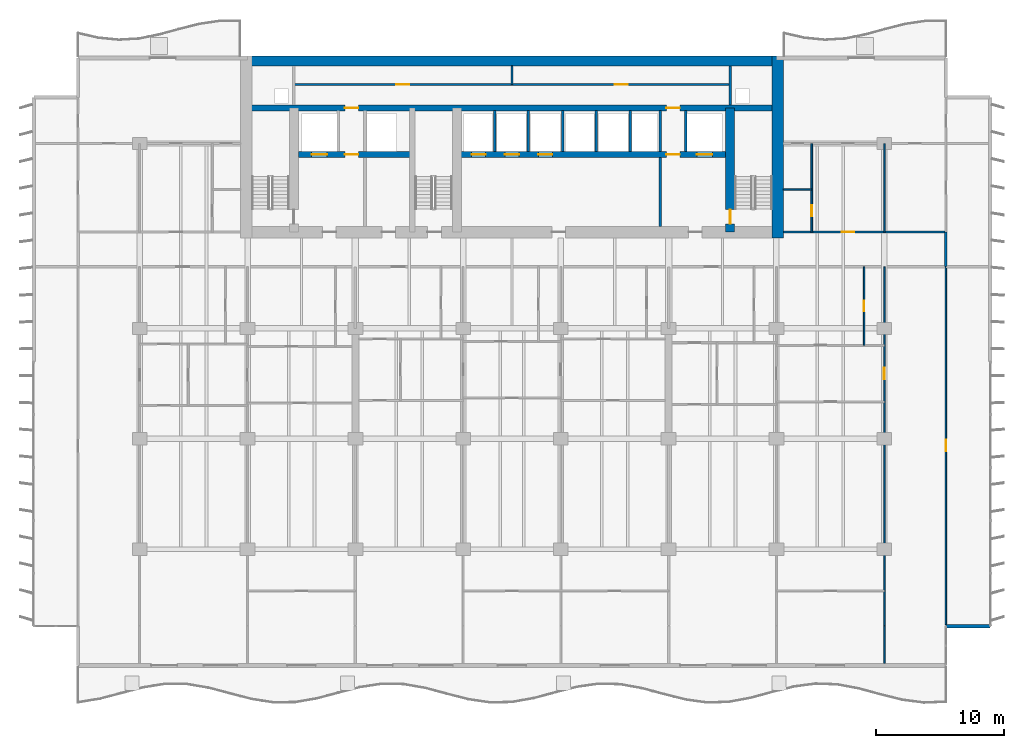
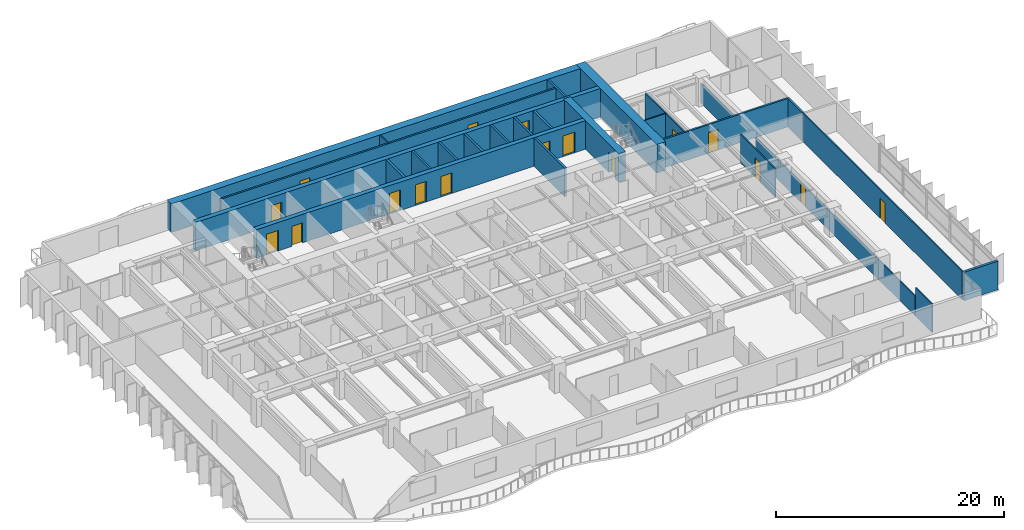
# One storey, part 10 of 16: 26 walls, 17 doors, 17 openings.
"""IFC4 building model written with IfcOpenShell, lengths in metres."""

from ifc_helpers import new_model, si_unit, direction, frame, frame_2d, origin, place, context, subcontext, project, spatial, rectangle, extrude, material, layer, layer_set, type_object, element, fill, save


model = new_model("IFC4")

# Units and contexts
model_context = context("Model", 3, precision=1e-05, world=origin(), true_north=direction((0.0, 1.0)))
body_context = subcontext(model_context, "Body", "Model", "MODEL_VIEW")
ifc_project = project(units=[si_unit("LENGTHUNIT", "METRE"), si_unit("AREAUNIT", "SQUARE_METRE"), si_unit("VOLUMEUNIT", "CUBIC_METRE"), si_unit("PLANEANGLEUNIT", "RADIAN"), si_unit("MASSUNIT", "GRAM", prefix="KILO")], contexts=[model_context])

# Site, building, storey
site_placement = place(None, origin())
site = spatial("IfcSite", under=ifc_project, at=site_placement, CompositionType="ELEMENT")
building_placement = place(site_placement, origin())
building = spatial("IfcBuilding", under=site, at=building_placement, Name="Caelmar Bay Residences", CompositionType="ELEMENT")
storey_placement = place(building_placement, frame((0.0, 0.0, 72.89990234375)))
storey = spatial("IfcBuildingStorey", under=building, at=storey_placement, Name="L19", CompositionType="ELEMENT", Elevation=72.89990234375)

# Wall, opening, door
ifc_material_1 = material(Name="Concrete f'c 55 MPa (8,000 psi)", Category="concrete")
ifc_layer_1 = layer(ifc_material_1, 0.699951171875)
ifc_layer_set_1 = layer_set([ifc_layer_1], Name="Concrete f'c 55 MPa (8,000 psi)")
wall_type_1 = type_object("IfcWallType", Name="SW-COR-700", PredefinedType="SHEAR", material=ifc_layer_set_1)
wall_1_placement = place(storey_placement, frame((55.89990234375, 36.89990234375, 0.0), z_axis=(0.0, 0.0, 1.0), x_axis=(0.0, 1.0, 0.0)))
wall_1 = element("IfcWall", 1, at=wall_1_placement, inside=storey, type_object=wall_type_1, Name="L19 Core Structural Web Wall ST2W", PredefinedType="SHEAR", context=body_context, shape_type="SweptSolid", body=[
    extrude(rectangle(XDim=9.675048828125, YDim=0.699951171875, at=frame_2d((4.83740234375, 0.0))), origin(), (0.0, 0.0, 1.0), 3.050048828125),
])
opening_1_placement = place(wall_1_placement, frame((0.64990234375, 0.0, 0.0)))
opening_1 = element("IfcOpeningElement", 2, at=opening_1_placement, cuts=wall_1, Name="Opening D-L19-111", PredefinedType="OPENING", context=body_context, shape_type="SweptSolid", body=[
    extrude(rectangle(XDim=1.10009765625, YDim=2.14990234375, at=frame_2d((0.550048828125, 1.074951171875))), frame((0.0, 0.35986328125, 0.0), z_axis=(0.0, -1.0, 0.0), x_axis=(1.0, 0.0, 0.0)), (0.0, 0.0, 1.0), 0.719970703125),
])
ifc_material_2 = material(Name="Fire-rated steel and walnut architectural door assembly", Category="steel")
ifc_layer_2 = layer(ifc_material_2, 0.050048828125)
ifc_layer_set_2 = layer_set([ifc_layer_2], Name="Fire-rated steel and walnut architectural door assembly")
door_type_1 = type_object("IfcDoorType", Name="D-STAIR-1100", OperationType="NOTDEFINED", PredefinedType="DOOR", material=ifc_layer_set_2)
door_1_placement = place(opening_1_placement, origin())
door_1 = element("IfcDoor", 3, at=door_1_placement, inside=storey, type_object=door_type_1, Name="L19 Firefighting Lobby East Door", OperationType="SINGLE_SWING_RIGHT", OverallHeight=2.14990234375, OverallWidth=1.10009765625, PredefinedType="DOOR", context=body_context, shape_type="SweptSolid", body=[
    extrude(rectangle(XDim=1.10009765625, YDim=2.14990234375, at=frame_2d((0.550048828125, 1.074951171875))), frame((0.0, 0.02490234375, 0.0), z_axis=(0.0, -1.0, 0.0), x_axis=(1.0, 0.0, 0.0)), (0.0, 0.0, 1.0), 0.050048828125),
])
fill(opening_1, door_1)

# Walls
ifc_material_3 = material(Name="Concrete f'c 70 MPa (10,000 psi)", Category="concrete")
ifc_layer_3 = layer(ifc_material_3, 0.89990234375)
ifc_layer_set_3 = layer_set([ifc_layer_3], Name="Concrete f'c 70 MPa (10,000 psi)")
wall_type_2 = type_object("IfcWallType", Name="SW-COR-900", PredefinedType="SHEAR", material=ifc_layer_set_3)
wall_2_placement = place(storey_placement, frame((59.60009765625, 36.449951171875, 0.0), z_axis=(0.0, 0.0, 1.0), x_axis=(0.0, 1.0, 0.0)))
element("IfcWall", 4, at=wall_2_placement, inside=storey, type_object=wall_type_2, Name="L19 Rear Core East Shear Wall", PredefinedType="SHEAR", context=body_context, shape_type="SweptSolid", body=[
    extrude(rectangle(XDim=14.150146484375, YDim=0.89990234375, at=frame_2d((7.0751953125, 0.0))), origin(), (0.0, 0.0, 1.0), 3.050048828125),
])
ifc_layer_4 = layer(ifc_material_3, 0.75)
ifc_layer_set_4 = layer_set([ifc_layer_4], Name="Concrete f'c 70 MPa (10,000 psi)")
wall_type_3 = type_object("IfcWallType", Name="SW-CORN-750", PredefinedType="SHEAR", material=ifc_layer_set_4)
wall_3_placement = place(storey_placement, frame((17.75, 50.22509765625, 0.0), z_axis=(0.0, 0.0, 1.0), x_axis=(1.0, 0.0, 0.0)))
element("IfcWall", 5, at=wall_3_placement, inside=storey, type_object=wall_type_3, Name="L19 Rear Core North Shear Wall", PredefinedType="SHEAR", context=body_context, shape_type="SweptSolid", body=[
    extrude(rectangle(XDim=42.300048828125, YDim=0.75, at=frame_2d((21.14990234375, 0.0))), origin(), (0.0, 0.0, 1.0), 3.050048828125),
])

# Wall, openings, doors
ifc_layer_5 = layer(ifc_material_3, 0.449951171875)
ifc_layer_set_5 = layer_set([ifc_layer_5], Name="Concrete f'c 70 MPa (10,000 psi)")
wall_type_4 = type_object("IfcWallType", Name="SW-WEB-450", PredefinedType="SHEAR", material=ifc_layer_set_5)
wall_4_placement = place(storey_placement, frame((22.25, 42.949951171875, 0.0), z_axis=(0.0, 0.0, 1.0), x_axis=(1.0, 0.0, 0.0)))
wall_4 = element("IfcWall", 6, at=wall_4_placement, inside=storey, type_object=wall_type_4, Name="L19 Core Structural Web Wall LFR", PredefinedType="SHEAR", context=body_context, shape_type="SweptSolid", body=[
    extrude(rectangle(XDim=33.300048828125, YDim=0.449951171875, at=frame_2d((16.64990234375, 0.0))), origin(), (0.0, 0.0, 1.0), 3.050048828125),
])
opening_2_placement = place(wall_4_placement, frame((1.050048828125, 0.0, 0.0)))
opening_2 = element("IfcOpeningElement", 7, at=opening_2_placement, cuts=wall_4, Name="Opening LD2", PredefinedType="OPENING", context=body_context, shape_type="SweptSolid", body=[
    extrude(rectangle(XDim=1.199951171875, YDim=2.199951171875, at=frame_2d((0.60009765625, 1.10009765625))), frame((0.0, 0.23486328125, 0.0), z_axis=(0.0, -1.0, 0.0), x_axis=(1.0, 0.0, 0.0)), (0.0, 0.0, 1.0), 0.469970703125),
])
opening_3_placement = place(wall_4_placement, frame((31.050048828125, 0.0, 0.0)))
opening_3 = element("IfcOpeningElement", 8, at=opening_3_placement, cuts=wall_4, Name="Opening LD2", PredefinedType="OPENING", context=body_context, shape_type="SweptSolid", body=[
    extrude(rectangle(XDim=1.199951171875, YDim=2.199951171875, at=frame_2d((0.60009765625, 1.10009765625))), frame((0.0, 0.23486328125, 0.0), z_axis=(0.0, -1.0, 0.0), x_axis=(1.0, 0.0, 0.0)), (0.0, 0.0, 1.0), 0.469970703125),
])
opening_4_placement = place(wall_4_placement, frame((13.5, 0.0, 0.0)))
opening_4 = element("IfcOpeningElement", 9, at=opening_4_placement, cuts=wall_4, Name="Opening LD1", PredefinedType="OPENING", context=body_context, shape_type="SweptSolid", body=[
    extrude(rectangle(XDim=1.10009765625, YDim=2.199951171875, at=frame_2d((0.550048828125, 1.10009765625))), frame((0.0, 0.23486328125, 0.0), z_axis=(0.0, -1.0, 0.0), x_axis=(1.0, 0.0, 0.0)), (0.0, 0.0, 1.0), 0.469970703125),
])
opening_5_placement = place(wall_4_placement, frame((16.10009765625, 0.0, 0.0)))
opening_5 = element("IfcOpeningElement", 10, at=opening_5_placement, cuts=wall_4, Name="Opening LD1", PredefinedType="OPENING", context=body_context, shape_type="SweptSolid", body=[
    extrude(rectangle(XDim=1.10009765625, YDim=2.199951171875, at=frame_2d((0.550048828125, 1.10009765625))), frame((0.0, 0.23486328125, 0.0), z_axis=(0.0, -1.0, 0.0), x_axis=(1.0, 0.0, 0.0)), (0.0, 0.0, 1.0), 0.469970703125),
])
opening_6_placement = place(wall_4_placement, frame((18.699951171875, 0.0, 0.0)))
opening_6 = element("IfcOpeningElement", 11, at=opening_6_placement, cuts=wall_4, Name="Opening LD1", PredefinedType="OPENING", context=body_context, shape_type="SweptSolid", body=[
    extrude(rectangle(XDim=1.10009765625, YDim=2.199951171875, at=frame_2d((0.550048828125, 1.10009765625))), frame((0.0, 0.23486328125, 0.0), z_axis=(0.0, -1.0, 0.0), x_axis=(1.0, 0.0, 0.0)), (0.0, 0.0, 1.0), 0.469970703125),
])
opening_7_placement = place(wall_4_placement, frame((3.625, 0.0, 0.0)))
opening_7 = element("IfcOpeningElement", 12, at=opening_7_placement, cuts=wall_4, Name="Opening D-L19-109", PredefinedType="OPENING", context=body_context, shape_type="SweptSolid", body=[
    extrude(rectangle(XDim=1.050048828125, YDim=2.14990234375, at=frame_2d((0.52490234375, 1.074951171875))), frame((0.0, 0.23486328125, 0.0), z_axis=(0.0, -1.0, 0.0), x_axis=(1.0, 0.0, 0.0)), (0.0, 0.0, 1.0), 0.469970703125),
])
opening_8_placement = place(wall_4_placement, frame((28.675048828125, 0.0, 0.0)))
opening_8 = element("IfcOpeningElement", 13, at=opening_8_placement, cuts=wall_4, Name="Opening D-L19-112", PredefinedType="OPENING", context=body_context, shape_type="SweptSolid", body=[
    extrude(rectangle(XDim=1.050048828125, YDim=2.14990234375, at=frame_2d((0.52490234375, 1.074951171875))), frame((0.0, 0.23486328125, 0.0), z_axis=(0.0, -1.0, 0.0), x_axis=(1.0, 0.0, 0.0)), (0.0, 0.0, 1.0), 0.469970703125),
])
ifc_layer_6 = layer(ifc_material_2, 0.050048828125)
ifc_layer_set_6 = layer_set([ifc_layer_6], Name="Fire-rated steel and walnut architectural door assembly")
door_type_2 = type_object("IfcDoorType", Name="D-FSAE-1050", OperationType="NOTDEFINED", PredefinedType="DOOR", material=ifc_layer_set_6)
door_2_placement = place(opening_7_placement, origin())
door_2 = element("IfcDoor", 14, at=door_2_placement, inside=storey, type_object=door_type_2, Name="L19 Firefighting Lobby West Door", OperationType="SINGLE_SWING_RIGHT", OverallHeight=2.14990234375, OverallWidth=1.050048828125, PredefinedType="DOOR", context=body_context, shape_type="SweptSolid", body=[
    extrude(rectangle(XDim=1.050048828125, YDim=2.14990234375, at=frame_2d((0.52490234375, 1.074951171875))), frame((0.0, 0.02490234375, 0.0), z_axis=(0.0, -1.0, 0.0), x_axis=(1.0, 0.0, 0.0)), (0.0, 0.0, 1.0), 0.050048828125),
])
fill(opening_7, door_2)
door_3_placement = place(opening_8_placement, origin())
door_3 = element("IfcDoor", 15, at=door_3_placement, inside=storey, type_object=door_type_2, Name="L19 Firefighting Lobby East Door", OperationType="SINGLE_SWING_LEFT", OverallHeight=2.14990234375, OverallWidth=1.050048828125, PredefinedType="DOOR", context=body_context, shape_type="SweptSolid", body=[
    extrude(rectangle(XDim=1.050048828125, YDim=2.14990234375, at=frame_2d((0.52490234375, 1.074951171875))), frame((0.0, 0.02490234375, 0.0), z_axis=(0.0, -1.0, 0.0), x_axis=(1.0, 0.0, 0.0)), (0.0, 0.0, 1.0), 0.050048828125),
])
fill(opening_8, door_3)
ifc_material_4 = material(Name="Brushed bronze stainless-steel fire-rated lift landing doors", Category="steel")
ifc_layer_7 = layer(ifc_material_4, 0.050048828125)
ifc_layer_set_7 = layer_set([ifc_layer_7], Name="Brushed bronze stainless-steel fire-rated lift landing doors")
door_type_3 = type_object("IfcDoorType", Name="D-LND-1100", OperationType="DOUBLE_DOOR_SLIDING", PredefinedType="DOOR", material=ifc_layer_set_7)
door_4_placement = place(opening_4_placement, origin())
door_4 = element("IfcDoor", 16, at=door_4_placement, inside=storey, type_object=door_type_3, Name="L19 LP1 Sliding Landing Door", OperationType="DOUBLE_DOOR_SLIDING", OverallHeight=2.199951171875, OverallWidth=1.10009765625, PredefinedType="DOOR", context=body_context, shape_type="SweptSolid", body=[
    extrude(rectangle(XDim=1.10009765625, YDim=2.199951171875, at=frame_2d((0.550048828125, 1.10009765625))), frame((0.0, 0.02490234375, 0.0), z_axis=(0.0, -1.0, 0.0), x_axis=(1.0, 0.0, 0.0)), (0.0, 0.0, 1.0), 0.050048828125),
])
fill(opening_4, door_4)
door_5_placement = place(opening_5_placement, origin())
door_5 = element("IfcDoor", 17, at=door_5_placement, inside=storey, type_object=door_type_3, Name="L19 LP2 Sliding Landing Door", OperationType="DOUBLE_DOOR_SLIDING", OverallHeight=2.199951171875, OverallWidth=1.10009765625, PredefinedType="DOOR", context=body_context, shape_type="SweptSolid", body=[
    extrude(rectangle(XDim=1.10009765625, YDim=2.199951171875, at=frame_2d((0.550048828125, 1.10009765625))), frame((0.0, 0.02490234375, 0.0), z_axis=(0.0, -1.0, 0.0), x_axis=(1.0, 0.0, 0.0)), (0.0, 0.0, 1.0), 0.050048828125),
])
fill(opening_5, door_5)
door_6_placement = place(opening_6_placement, origin())
door_6 = element("IfcDoor", 18, at=door_6_placement, inside=storey, type_object=door_type_3, Name="L19 LP3 Sliding Landing Door", OperationType="DOUBLE_DOOR_SLIDING", OverallHeight=2.199951171875, OverallWidth=1.10009765625, PredefinedType="DOOR", context=body_context, shape_type="SweptSolid", body=[
    extrude(rectangle(XDim=1.10009765625, YDim=2.199951171875, at=frame_2d((0.550048828125, 1.10009765625))), frame((0.0, 0.02490234375, 0.0), z_axis=(0.0, -1.0, 0.0), x_axis=(1.0, 0.0, 0.0)), (0.0, 0.0, 1.0), 0.050048828125),
])
fill(opening_6, door_6)
ifc_material_5 = material(Name="Brushed stainless-steel FSAE sliding landing door", Category="steel")
ifc_layer_8 = layer(ifc_material_5, 0.050048828125)
ifc_layer_set_8 = layer_set([ifc_layer_8], Name="Brushed stainless-steel FSAE sliding landing door")
door_type_4 = type_object("IfcDoorType", Name="D-LND-1200", OperationType="DOUBLE_DOOR_SLIDING", PredefinedType="DOOR", material=ifc_layer_set_8)
door_7_placement = place(opening_2_placement, origin())
door_7 = element("IfcDoor", 19, at=door_7_placement, inside=storey, type_object=door_type_4, Name="L19 LF1 Sliding Landing Door", OperationType="DOUBLE_DOOR_SLIDING", OverallHeight=2.199951171875, OverallWidth=1.199951171875, PredefinedType="DOOR", context=body_context, shape_type="SweptSolid", body=[
    extrude(rectangle(XDim=1.199951171875, YDim=2.199951171875, at=frame_2d((0.60009765625, 1.10009765625))), frame((0.0, 0.02490234375, 0.0), z_axis=(0.0, -1.0, 0.0), x_axis=(1.0, 0.0, 0.0)), (0.0, 0.0, 1.0), 0.050048828125),
])
fill(opening_2, door_7)
door_8_placement = place(opening_3_placement, origin())
door_8 = element("IfcDoor", 20, at=door_8_placement, inside=storey, type_object=door_type_4, Name="L19 LF2 Sliding Landing Door", OperationType="DOUBLE_DOOR_SLIDING", OverallHeight=2.199951171875, OverallWidth=1.199951171875, PredefinedType="DOOR", context=body_context, shape_type="SweptSolid", body=[
    extrude(rectangle(XDim=1.199951171875, YDim=2.199951171875, at=frame_2d((0.60009765625, 1.10009765625))), frame((0.0, 0.02490234375, 0.0), z_axis=(0.0, -1.0, 0.0), x_axis=(1.0, 0.0, 0.0)), (0.0, 0.0, 1.0), 0.050048828125),
])
fill(opening_3, door_8)

wall_5_placement = place(storey_placement, frame((18.199951171875, 46.574951171875, 0.0), z_axis=(0.0, 0.0, 1.0), x_axis=(1.0, 0.0, 0.0)))
wall_5 = element("IfcWall", 21, at=wall_5_placement, inside=storey, type_object=wall_type_4, Name="L19 Core Structural Web Wall SRVS", PredefinedType="SHEAR", context=body_context, shape_type="SweptSolid", body=[
    extrude(rectangle(XDim=41.400146484375, YDim=0.449951171875, at=frame_2d((20.7001953125, 0.0))), origin(), (0.0, 0.0, 1.0), 3.050048828125),
])
opening_9_placement = place(wall_5_placement, frame((7.675048828125, 0.0, 0.0)))
opening_9 = element("IfcOpeningElement", 22, at=opening_9_placement, cuts=wall_5, Name="Opening D-L19-115", PredefinedType="OPENING", context=body_context, shape_type="SweptSolid", body=[
    extrude(rectangle(XDim=1.050048828125, YDim=2.14990234375, at=frame_2d((0.52490234375, 1.074951171875))), frame((0.0, 0.23486328125, 0.0), z_axis=(0.0, -1.0, 0.0), x_axis=(1.0, 0.0, 0.0)), (0.0, 0.0, 1.0), 0.469970703125),
])
opening_10_placement = place(wall_5_placement, frame((32.72509765625, 0.0, 0.0)))
opening_10 = element("IfcOpeningElement", 23, at=opening_10_placement, cuts=wall_5, Name="Opening D-L19-116", PredefinedType="OPENING", context=body_context, shape_type="SweptSolid", body=[
    extrude(rectangle(XDim=1.050048828125, YDim=2.14990234375, at=frame_2d((0.52490234375, 1.074951171875))), frame((0.0, 0.23486328125, 0.0), z_axis=(0.0, -1.0, 0.0), x_axis=(1.0, 0.0, 0.0)), (0.0, 0.0, 1.0), 0.469970703125),
])
door_9_placement = place(opening_9_placement, origin())
door_9 = element("IfcDoor", 24, at=door_9_placement, inside=storey, type_object=door_type_2, Name="L19 Core Service Corridor Door", OperationType="SINGLE_SWING_RIGHT", OverallHeight=2.14990234375, OverallWidth=1.050048828125, PredefinedType="DOOR", context=body_context, shape_type="SweptSolid", body=[
    extrude(rectangle(XDim=1.050048828125, YDim=2.14990234375, at=frame_2d((0.52490234375, 1.074951171875))), frame((0.0, 0.02490234375, 0.0), z_axis=(0.0, -1.0, 0.0), x_axis=(1.0, 0.0, 0.0)), (0.0, 0.0, 1.0), 0.050048828125),
])
fill(opening_9, door_9)
door_10_placement = place(opening_10_placement, origin())
door_10 = element("IfcDoor", 25, at=door_10_placement, inside=storey, type_object=door_type_2, Name="L19 Core Service Corridor Door", OperationType="SINGLE_SWING_LEFT", OverallHeight=2.14990234375, OverallWidth=1.050048828125, PredefinedType="DOOR", context=body_context, shape_type="SweptSolid", body=[
    extrude(rectangle(XDim=1.050048828125, YDim=2.14990234375, at=frame_2d((0.52490234375, 1.074951171875))), frame((0.0, 0.02490234375, 0.0), z_axis=(0.0, -1.0, 0.0), x_axis=(1.0, 0.0, 0.0)), (0.0, 0.0, 1.0), 0.050048828125),
])
fill(opening_10, door_10)

# Wall
ifc_material_6 = material(Name="Double-stud acoustic fire-rated gypsum partition 180 mm")
ifc_layer_9 = layer(ifc_material_6, 0.179931640625)
ifc_layer_set_9 = layer_set([ifc_layer_9], Name="Double-stud acoustic fire-rated gypsum partition 180 mm")
wall_type_5 = type_object("IfcWallType", Name="W-COR-200", PredefinedType="PARTITIONING", material=ifc_layer_set_9)
wall_6_placement = place(storey_placement, frame((72.699951171875, 34.205078125, 0.0), z_axis=(0.0, 0.0, 1.0), x_axis=(0.0, 1.0, 0.0)))
element("IfcWall", 26, at=wall_6_placement, inside=storey, type_object=wall_type_5, Name="L19 Partition Wall V051", PredefinedType="PARTITIONING", context=body_context, shape_type="SweptSolid", body=[
    extrude(rectangle(XDim=2.69482421875, YDim=0.179931640625, at=frame_2d((1.347412109375, 0.0))), origin(), (0.0, 0.0, 1.0), 3.050048828125),
])

# Wall, opening, door
wall_7_placement = place(storey_placement, frame((60.054931640625, 36.89990234375, 0.0), z_axis=(0.0, 0.0, 1.0), x_axis=(1.0, 0.0, 0.0)))
wall_7 = element("IfcWall", 27, at=wall_7_placement, inside=storey, type_object=wall_type_5, Name="L19 Partition Wall H074", PredefinedType="PARTITIONING", context=body_context, shape_type="SweptSolid", body=[
    extrude(rectangle(XDim=12.64501953125, YDim=0.179931640625, at=frame_2d((6.322509765625, 0.0))), origin(), (0.0, 0.0, 1.0), 3.050048828125),
])
opening_11_placement = place(wall_7_placement, frame((4.52001953125, 0.0, 0.0)))
opening_11 = element("IfcOpeningElement", 28, at=opening_11_placement, cuts=wall_7, Name="Opening D-L19-166", PredefinedType="OPENING", context=body_context, shape_type="SweptSolid", body=[
    extrude(rectangle(XDim=1.0, YDim=2.199951171875, at=frame_2d((0.5, 1.10009765625))), frame((0.0, 0.099853515625, 0.0), z_axis=(0.0, -1.0, 0.0), x_axis=(1.0, 0.0, 0.0)), (0.0, 0.0, 1.0), 0.199951171875),
])
ifc_layer_10 = layer(ifc_material_2, 0.050048828125)
ifc_layer_set_10 = layer_set([ifc_layer_10], Name="Fire-rated steel and walnut architectural door assembly")
door_type_5 = type_object("IfcDoorType", Name="D-UNIT-1000", OperationType="NOTDEFINED", PredefinedType="DOOR", material=ifc_layer_set_10)
door_11_placement = place(opening_11_placement, origin())
door_11 = element("IfcDoor", 29, at=door_11_placement, inside=storey, type_object=door_type_5, Name="L19 Residence EA Kitchen Door", OperationType="SINGLE_SWING_LEFT", OverallHeight=2.199951171875, OverallWidth=1.0, PredefinedType="DOOR", context=body_context, shape_type="SweptSolid", body=[
    extrude(rectangle(XDim=1.0, YDim=2.199951171875, at=frame_2d((0.5, 1.10009765625))), frame((0.0, 0.02490234375, 0.0), z_axis=(0.0, -1.0, 0.0), x_axis=(1.0, 0.0, 0.0)), (0.0, 0.0, 1.0), 0.050048828125),
])
fill(opening_11, door_11)

# Wall, openings, doors
wall_8_placement = place(storey_placement, frame((21.89990234375, 48.39990234375, 0.0), z_axis=(0.0, 0.0, 1.0), x_axis=(1.0, 0.0, 0.0)))
wall_8 = element("IfcWall", 30, at=wall_8_placement, inside=storey, type_object=wall_type_5, Name="L19 Partition Wall H079", PredefinedType="PARTITIONING", context=body_context, shape_type="SweptSolid", body=[
    extrude(rectangle(XDim=34.0, YDim=0.179931640625, at=frame_2d((17.0, 0.0))), origin(), (0.0, 0.0, 1.0), 3.050048828125),
])
opening_12_placement = place(wall_8_placement, frame((8.0, 0.0, 0.0)))
opening_12 = element("IfcOpeningElement", 31, at=opening_12_placement, cuts=wall_8, Name="Opening D-L19-117", PredefinedType="OPENING", context=body_context, shape_type="SweptSolid", body=[
    extrude(rectangle(XDim=1.0, YDim=2.199951171875, at=frame_2d((0.5, 1.10009765625))), frame((0.0, 0.099853515625, 0.0), z_axis=(0.0, -1.0, 0.0), x_axis=(1.0, 0.0, 0.0)), (0.0, 0.0, 1.0), 0.199951171875),
])
opening_13_placement = place(wall_8_placement, frame((25.0, 0.0, 0.0)))
opening_13 = element("IfcOpeningElement", 32, at=opening_13_placement, cuts=wall_8, Name="Opening D-L19-118", PredefinedType="OPENING", context=body_context, shape_type="SweptSolid", body=[
    extrude(rectangle(XDim=1.0, YDim=2.199951171875, at=frame_2d((0.5, 1.10009765625))), frame((0.0, 0.099853515625, 0.0), z_axis=(0.0, -1.0, 0.0), x_axis=(1.0, 0.0, 0.0)), (0.0, 0.0, 1.0), 0.199951171875),
])
door_12_placement = place(opening_12_placement, origin())
door_12 = element("IfcDoor", 33, at=door_12_placement, inside=storey, type_object=door_type_5, Name="L19 Building Management Office Door", OperationType="SINGLE_SWING_RIGHT", OverallHeight=2.199951171875, OverallWidth=1.0, PredefinedType="DOOR", context=body_context, shape_type="SweptSolid", body=[
    extrude(rectangle(XDim=1.0, YDim=2.199951171875, at=frame_2d((0.5, 1.10009765625))), frame((0.0, 0.02490234375, 0.0), z_axis=(0.0, -1.0, 0.0), x_axis=(1.0, 0.0, 0.0)), (0.0, 0.0, 1.0), 0.050048828125),
])
fill(opening_12, door_12)
door_13_placement = place(opening_13_placement, origin())
door_13 = element("IfcDoor", 34, at=door_13_placement, inside=storey, type_object=door_type_5, Name="L19 Concierge Operations Office Door", OperationType="SINGLE_SWING_LEFT", OverallHeight=2.199951171875, OverallWidth=1.0, PredefinedType="DOOR", context=body_context, shape_type="SweptSolid", body=[
    extrude(rectangle(XDim=1.0, YDim=2.199951171875, at=frame_2d((0.5, 1.10009765625))), frame((0.0, 0.02490234375, 0.0), z_axis=(0.0, -1.0, 0.0), x_axis=(1.0, 0.0, 0.0)), (0.0, 0.0, 1.0), 0.050048828125),
])
fill(opening_13, door_13)

# Walls
ifc_material_7 = material(Name="Precast concrete f'c 40 MPa (6,000 psi)", Category="concrete")
ifc_layer_11 = layer(ifc_material_7, 0.25)
ifc_layer_set_11 = layer_set([ifc_layer_11], Name="Precast concrete f'c 40 MPa (6,000 psi)")
wall_type_6 = type_object("IfcWallType", Name="W-EXT-250", PredefinedType="ELEMENTEDWALL", material=ifc_layer_set_11)
wall_9_placement = place(storey_placement, frame((72.699951171875, 6.199951171875, 0.0), z_axis=(0.0, 0.0, 1.0), x_axis=(1.0, 0.0, 0.0)))
element("IfcWall", 35, at=wall_9_placement, inside=storey, type_object=wall_type_6, Name="L19 SE Notch Return Wall", PredefinedType="ELEMENTEDWALL", context=body_context, shape_type="SweptSolid", body=[
    extrude(rectangle(XDim=3.449951171875, YDim=0.25, at=frame_2d((1.72509765625, 0.0))), origin(), (0.0, 0.0, 1.0), 3.050048828125),
])
ifc_material_8 = material(Name="Fire-rated masonry and gypsum shaftliner assembly 200 mm", Category="masonry")
ifc_layer_12 = layer(ifc_material_8, 0.199951171875)
ifc_layer_set_12 = layer_set([ifc_layer_12], Name="Fire-rated masonry and gypsum shaftliner assembly 200 mm")
wall_type_7 = type_object("IfcWallType", Name="W-FSAE-200", PredefinedType="PARTITIONING", material=ifc_layer_set_12)
for number, where, z_axis, x_axis, name in (
    (36, (37.550048828125, 43.169921875, 0.0), (0.0, 0.0, 1.0), (0.0, 1.0, 0.0), "L19 Partition Wall V024"),
    (37, (40.14990234375, 43.169921875, 0.0), (0.0, 0.0, 1.0), (0.0, 1.0, 0.0), "L19 Partition Wall V026"),
    (38, (42.85009765625, 43.169921875, 0.0), (0.0, 0.0, 1.0), (0.0, 1.0, 0.0), "L19 Partition Wall V030"),
    (39, (45.449951171875, 43.169921875, 0.0), (0.0, 0.0, 1.0), (0.0, 1.0, 0.0), "L19 Partition Wall V031"),
    (40, (48.10009765625, 43.169921875, 0.0), (0.0, 0.0, 1.0), (0.0, 1.0, 0.0), "L19 Partition Wall V032"),
):
    element("IfcWall", number, at=place(storey_placement, frame(where, z_axis=z_axis, x_axis=x_axis)), inside=storey, type_object=wall_type_7, Name=name, PredefinedType="PARTITIONING", context=body_context, shape_type="SweptSolid", body=[
        extrude(rectangle(XDim=3.18505859375, YDim=0.199951171875, at=frame_2d((1.592529296875, 0.0))), origin(), (0.0, 0.0, 1.0), 3.050048828125),
    ])
wall_10_placement = place(storey_placement, frame((50.449951171875, 37.344970703125, 0.0), z_axis=(0.0, 0.0, 1.0), x_axis=(0.0, 1.0, 0.0)))
element("IfcWall", 41, at=wall_10_placement, inside=storey, type_object=wall_type_7, Name="L19 Partition Wall V034", PredefinedType="PARTITIONING", context=body_context, shape_type="SweptSolid", body=[
    extrude(rectangle(XDim=5.385009765625, YDim=0.199951171875, at=frame_2d((2.6923828125, 0.0))), origin(), (0.0, 0.0, 1.0), 3.050048828125),
])
for number, where, z_axis, x_axis, name in (
    (42, (50.449951171875, 43.169921875, 0.0), (0.0, 0.0, 1.0), (0.0, 1.0, 0.0), "L19 Partition Wall V035"),
    (43, (52.449951171875, 43.169921875, 0.0), (0.0, 0.0, 1.0), (0.0, 1.0, 0.0), "L19 Partition Wall V039"),
):
    element("IfcWall", number, at=place(storey_placement, frame(where, z_axis=z_axis, x_axis=x_axis)), inside=storey, type_object=wall_type_7, Name=name, PredefinedType="PARTITIONING", context=body_context, shape_type="SweptSolid", body=[
        extrude(rectangle(XDim=3.18505859375, YDim=0.199951171875, at=frame_2d((1.592529296875, 0.0))), origin(), (0.0, 0.0, 1.0), 3.050048828125),
    ])
wall_11_placement = place(storey_placement, frame((55.89990234375, 46.794921875, 0.0), z_axis=(0.0, 0.0, 1.0), x_axis=(0.0, 1.0, 0.0)))
element("IfcWall", 44, at=wall_11_placement, inside=storey, type_object=wall_type_7, Name="L19 Partition Wall V041", PredefinedType="PARTITIONING", context=body_context, shape_type="SweptSolid", body=[
    extrude(rectangle(XDim=3.06005859375, YDim=0.199951171875, at=frame_2d((1.530029296875, 0.0))), origin(), (0.0, 0.0, 1.0), 3.050048828125),
])
ifc_material_9 = material(Name="Acoustic metal-stud gypsum partition 120 mm")
ifc_layer_13 = layer(ifc_material_9, 0.1201171875)
ifc_layer_set_13 = layer_set([ifc_layer_13], Name="Acoustic metal-stud gypsum partition 120 mm")
wall_type_8 = type_object("IfcWallType", Name="W-PRT-120", PredefinedType="PARTITIONING", material=ifc_layer_set_13)
wall_12_placement = place(storey_placement, frame((38.89990234375, 48.39990234375, 0.0), z_axis=(0.0, 0.0, 1.0), x_axis=(0.0, 1.0, 0.0)))
element("IfcWall", 45, at=wall_12_placement, inside=storey, type_object=wall_type_8, Name="L19 Partition Wall V025", PredefinedType="PARTITIONING", context=body_context, shape_type="SweptSolid", body=[
    extrude(rectangle(XDim=1.455078125, YDim=0.1201171875, at=frame_2d((0.7275390625, 0.0))), origin(), (0.0, 0.0, 1.0), 3.050048828125),
])

# Wall, opening, door
wall_13_placement = place(storey_placement, frame((62.25, 36.89990234375, 0.0), z_axis=(0.0, 0.0, 1.0), x_axis=(0.0, 1.0, 0.0)))
wall_13 = element("IfcWall", 46, at=wall_13_placement, inside=storey, type_object=wall_type_8, Name="L19 Partition Wall V045", PredefinedType="PARTITIONING", context=body_context, shape_type="SweptSolid", body=[
    extrude(rectangle(XDim=6.900146484375, YDim=0.1201171875, at=frame_2d((3.4501953125, 0.0))), origin(), (0.0, 0.0, 1.0), 3.050048828125),
])
opening_14_placement = place(wall_13_placement, frame((1.23095703125, 0.0, 0.0)))
opening_14 = element("IfcOpeningElement", 47, at=opening_14_placement, cuts=wall_13, Name="Opening D-L19-168", PredefinedType="OPENING", context=body_context, shape_type="SweptSolid", body=[
    extrude(rectangle(XDim=0.85009765625, YDim=2.10009765625, at=frame_2d((0.425048828125, 1.050048828125))), frame((0.0, 0.070068359375, 0.0), z_axis=(0.0, -1.0, 0.0), x_axis=(1.0, 0.0, 0.0)), (0.0, 0.0, 1.0), 0.14013671875),
])
ifc_material_10 = material(Name="Solid walnut timber interior door leaf and frame", Category="wood")
ifc_layer_14 = layer(ifc_material_10, 0.050048828125)
ifc_layer_set_14 = layer_set([ifc_layer_14], Name="Solid walnut timber interior door leaf and frame")
door_type_6 = type_object("IfcDoorType", Name="D-BATH-850", OperationType="NOTDEFINED", PredefinedType="DOOR", material=ifc_layer_set_14)
door_14_placement = place(opening_14_placement, origin())
door_14 = element("IfcDoor", 48, at=door_14_placement, inside=storey, type_object=door_type_6, Name="L19 Residence EA Walk-In Closet Door", OperationType="SINGLE_SWING_LEFT", OverallHeight=2.10009765625, OverallWidth=0.85009765625, PredefinedType="DOOR", context=body_context, shape_type="SweptSolid", body=[
    extrude(rectangle(XDim=0.85009765625, YDim=2.10009765625, at=frame_2d((0.425048828125, 1.050048828125))), frame((0.0, 0.02490234375, 0.0), z_axis=(0.0, -1.0, 0.0), x_axis=(1.0, 0.0, 0.0)), (0.0, 0.0, 1.0), 0.050048828125),
])
fill(opening_14, door_14)

wall_14_placement = place(storey_placement, frame((66.3310546875, 28.080078125, 0.0), z_axis=(0.0, 0.0, 1.0), x_axis=(0.0, 1.0, 0.0)))
wall_14 = element("IfcWall", 49, at=wall_14_placement, inside=storey, type_object=wall_type_8, Name="L19 Partition Wall V046", PredefinedType="PARTITIONING", context=body_context, shape_type="SweptSolid", body=[
    extrude(rectangle(XDim=6.119873046875, YDim=0.1201171875, at=frame_2d((3.06005859375, 0.0))), origin(), (0.0, 0.0, 1.0), 3.050048828125),
])
opening_15_placement = place(wall_14_placement, frame((2.635009765625, 0.0, 0.0)))
opening_15 = element("IfcOpeningElement", 50, at=opening_15_placement, cuts=wall_14, Name="Opening D-L19-152", PredefinedType="OPENING", context=body_context, shape_type="SweptSolid", body=[
    extrude(rectangle(XDim=0.85009765625, YDim=2.10009765625, at=frame_2d((0.425048828125, 1.050048828125))), frame((0.0, 0.070068359375, 0.0), z_axis=(0.0, -1.0, 0.0), x_axis=(1.0, 0.0, 0.0)), (0.0, 0.0, 1.0), 0.14013671875),
])
door_15_placement = place(opening_15_placement, origin())
door_15 = element("IfcDoor", 51, at=door_15_placement, inside=storey, type_object=door_type_6, Name="L19 Residence 03 En-Suite Bathroom 1 Door", OperationType="SINGLE_SWING_LEFT", OverallHeight=2.10009765625, OverallWidth=0.85009765625, PredefinedType="DOOR", context=body_context, shape_type="SweptSolid", body=[
    extrude(rectangle(XDim=0.85009765625, YDim=2.10009765625, at=frame_2d((0.425048828125, 1.050048828125))), frame((0.0, 0.02490234375, 0.0), z_axis=(0.0, -1.0, 0.0), x_axis=(1.0, 0.0, 0.0)), (0.0, 0.0, 1.0), 0.050048828125),
])
fill(opening_15, door_15)

# Wall
wall_15_placement = place(storey_placement, frame((67.89990234375, 3.294921875, 0.0), z_axis=(0.0, 0.0, 1.0), x_axis=(0.0, 1.0, 0.0)))
element("IfcWall", 52, at=wall_15_placement, inside=storey, type_object=wall_type_8, Name="L19 Partition Wall V047", PredefinedType="PARTITIONING", context=body_context, shape_type="SweptSolid", body=[
    extrude(rectangle(XDim=2.905029296875, YDim=0.1201171875, at=frame_2d((1.45263671875, 0.0))), origin(), (0.0, 0.0, 1.0), 3.050048828125),
])

# Wall, opening, door
wall_16_placement = place(storey_placement, frame((67.89990234375, 6.239990234375, 0.0), z_axis=(0.0, 0.0, 1.0), x_axis=(0.0, 1.0, 0.0)))
wall_16 = element("IfcWall", 53, at=wall_16_placement, inside=storey, type_object=wall_type_8, Name="L19 Partition Wall V048", PredefinedType="PARTITIONING", context=body_context, shape_type="SweptSolid", body=[
    extrude(rectangle(XDim=27.9599609375, YDim=0.1201171875, at=frame_2d((13.97998046875, 0.0))), origin(), (0.0, 0.0, 1.0), 2.110107421875),
])
opening_16_placement = place(wall_16_placement, frame((19.18994140625, 0.0, 0.0)))
opening_16 = element("IfcOpeningElement", 54, at=opening_16_placement, cuts=wall_16, Name="Opening D-L19-155", PredefinedType="OPENING", context=body_context, shape_type="SweptSolid", body=[
    extrude(rectangle(XDim=0.89990234375, YDim=2.06005859375, at=frame_2d((0.449951171875, 1.030029296875))), frame((0.0, 0.070068359375, 0.0), z_axis=(0.0, -1.0, 0.0), x_axis=(1.0, 0.0, 0.0)), (0.0, 0.0, 1.0), 0.14013671875),
])
ifc_layer_15 = layer(ifc_material_10, 0.050048828125)
ifc_layer_set_15 = layer_set([ifc_layer_15], Name="Solid walnut timber interior door leaf and frame")
door_type_7 = type_object("IfcDoorType", Name="D-ROOM-900", OperationType="NOTDEFINED", PredefinedType="DOOR", material=ifc_layer_set_15)
door_16_placement = place(opening_16_placement, origin())
door_16 = element("IfcDoor", 55, at=door_16_placement, inside=storey, type_object=door_type_7, Name="L19 Residence 03 East Apartment Hall Door", OperationType="SINGLE_SWING_RIGHT", OverallHeight=2.06005859375, OverallWidth=0.89990234375, PredefinedType="DOOR", context=body_context, shape_type="SweptSolid", body=[
    extrude(rectangle(XDim=0.89990234375, YDim=2.06005859375, at=frame_2d((0.449951171875, 1.030029296875))), frame((0.0, 0.02490234375, 0.0), z_axis=(0.0, -1.0, 0.0), x_axis=(1.0, 0.0, 0.0)), (0.0, 0.0, 1.0), 0.050048828125),
])
fill(opening_16, door_16)

# Wall
wall_17_placement = place(storey_placement, frame((67.89990234375, 36.89990234375, 0.0), z_axis=(0.0, 0.0, 1.0), x_axis=(0.0, 1.0, 0.0)))
element("IfcWall", 56, at=wall_17_placement, inside=storey, type_object=wall_type_8, Name="L19 Partition Wall V049", PredefinedType="PARTITIONING", context=body_context, shape_type="SweptSolid", body=[
    extrude(rectangle(XDim=6.900146484375, YDim=0.1201171875, at=frame_2d((3.4501953125, 0.0))), origin(), (0.0, 0.0, 1.0), 2.110107421875),
])

# Wall, opening, door
wall_18_placement = place(storey_placement, frame((72.699951171875, 6.320068359375, 0.0), z_axis=(0.0, 0.0, 1.0), x_axis=(0.0, 1.0, 0.0)))
wall_18 = element("IfcWall", 57, at=wall_18_placement, inside=storey, type_object=wall_type_8, Name="L19 Partition Wall V050", PredefinedType="PARTITIONING", context=body_context, shape_type="SweptSolid", body=[
    extrude(rectangle(XDim=27.8798828125, YDim=0.1201171875, at=frame_2d((13.93994140625, 0.0))), origin(), (0.0, 0.0, 1.0), 3.050048828125),
])
opening_17_placement = place(wall_18_placement, frame((13.489990234375, 0.0, 0.0)))
opening_17 = element("IfcOpeningElement", 58, at=opening_17_placement, cuts=wall_18, Name="Opening D-L19-157", PredefinedType="OPENING", context=body_context, shape_type="SweptSolid", body=[
    extrude(rectangle(XDim=0.89990234375, YDim=2.14990234375, at=frame_2d((0.449951171875, 1.074951171875))), frame((0.0, 0.070068359375, 0.0), z_axis=(0.0, -1.0, 0.0), x_axis=(1.0, 0.0, 0.0)), (0.0, 0.0, 1.0), 0.14013671875),
])
door_17_placement = place(opening_17_placement, origin())
door_17 = element("IfcDoor", 59, at=door_17_placement, inside=storey, type_object=door_type_7, Name="L19 Residence 03 Penthouse East Salon Door", OperationType="SINGLE_SWING_RIGHT", OverallHeight=2.14990234375, OverallWidth=0.89990234375, PredefinedType="DOOR", context=body_context, shape_type="SweptSolid", body=[
    extrude(rectangle(XDim=0.89990234375, YDim=2.14990234375, at=frame_2d((0.449951171875, 1.074951171875))), frame((0.0, 0.02490234375, 0.0), z_axis=(0.0, -1.0, 0.0), x_axis=(1.0, 0.0, 0.0)), (0.0, 0.0, 1.0), 0.050048828125),
])
fill(opening_17, door_17)

# Wall
wall_19_placement = place(storey_placement, frame((60.044921875, 40.2119140625, 0.0), z_axis=(0.0, 0.0, 1.0), x_axis=(1.0, 0.0, 0.0)))
element("IfcWall", 60, at=wall_19_placement, inside=storey, type_object=wall_type_8, Name="L19 Partition Wall H076", PredefinedType="PARTITIONING", context=body_context, shape_type="SweptSolid", body=[
    extrude(rectangle(XDim=2.205078125, YDim=0.1201171875, at=frame_2d((1.1025390625, 0.0))), origin(), (0.0, 0.0, 1.0), 3.050048828125),
])

save(model, "model.ifc")
